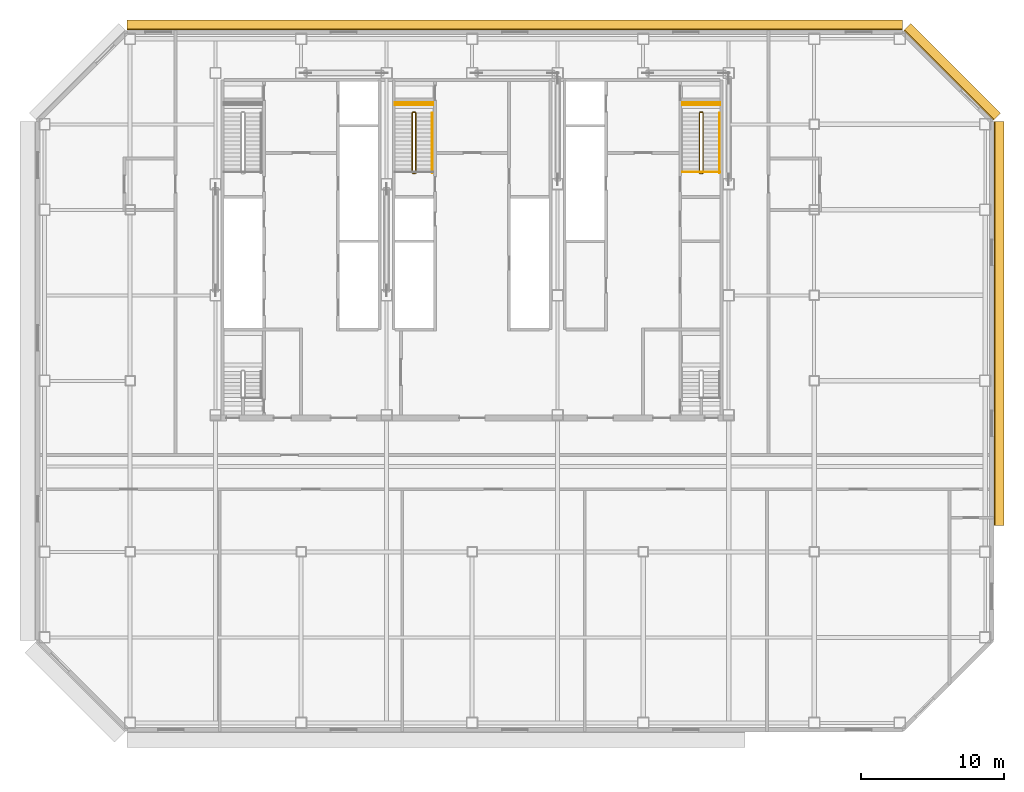
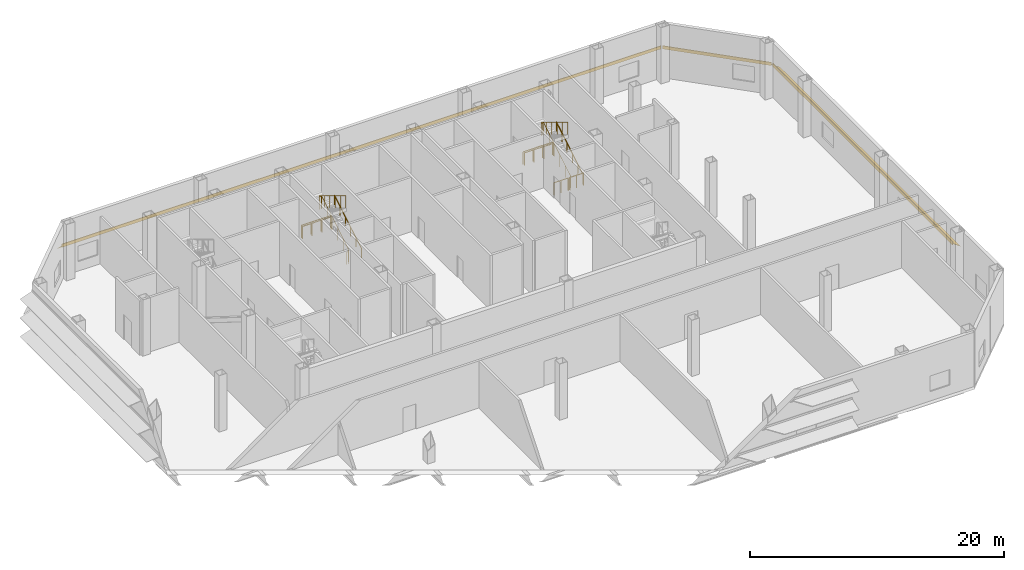
# One storey, part 10 of 10: 10 railings, 3 shading devices.
"""IFC4 building model written with IfcOpenShell, lengths in metres."""

from ifc_helpers import new_model, si_unit, direction, frame, origin, origin_2d, place, context, subcontext, project, spatial, polyline, circle, outline, extrude, material, type_object, element, save


model = new_model("IFC4")

# Units and contexts
model_context = context("Model", 3, precision=1e-05, world=origin(), true_north=direction((0.0, 1.0)))
body_context = subcontext(model_context, "Body", "Model", "MODEL_VIEW")
ifc_project = project(units=[si_unit("LENGTHUNIT", "METRE"), si_unit("AREAUNIT", "SQUARE_METRE"), si_unit("VOLUMEUNIT", "CUBIC_METRE"), si_unit("PLANEANGLEUNIT", "RADIAN"), si_unit("MASSUNIT", "GRAM", prefix="KILO")], contexts=[model_context])

# Site, building, storey
site_placement = place(None, origin())
site = spatial("IfcSite", under=ifc_project, at=site_placement, CompositionType="ELEMENT")
building_placement = place(site_placement, origin())
building = spatial("IfcBuilding", under=site, at=building_placement, Name="Sorahane Residences", CompositionType="ELEMENT")
storey_placement = place(building_placement, frame((0.0, 0.0, 138.39990234375)))
storey = spatial("IfcBuildingStorey", under=building, at=storey_placement, Name="L31", CompositionType="ELEMENT", Elevation=138.39990234375)

# Shading devices
ifc_material_1 = material(Name="Terracotta anodised aluminium", Category="masonry")
shading_device_type_1 = type_object("IfcShadingDeviceType", Name="Louvre sunshade blade E terracotta aluminium 700", PredefinedType="JALOUSIE", material=ifc_material_1)
shading_device_1_placement = place(storey_placement, frame((60.60009765625, 13.869384765625, 2.7001953125), z_axis=(0.0, 1.0, 0.0), x_axis=(-1.0, 0.0, 0.0)))
element("IfcShadingDevice", 1, at=shading_device_1_placement, inside=storey, type_object=shading_device_type_1, Name="Louvre sunshade blade bank E L31 E1", PredefinedType="JALOUSIE", context=body_context, shape_type="SweptSolid", body=[
    extrude(outline(polyline([(-0.719970703125, -0.49365234375), (-0.719970703125, -0.523681640625), (-0.080078125, -0.05859375), (-0.080078125, -0.14990234375), (-0.02001953125, -0.14990234375), (-0.02001953125, -0.014892578125), (-0.02001953125, 0.014892578125), (-0.02001953125, 0.14990234375), (-0.080078125, 0.14990234375), (-0.080078125, -0.028564453125), (-0.719970703125, -0.49365234375)])), origin(), (0.0, 0.0, 1.0), 28.3291015625),
])
ifc_material_2 = material(Name="Terracotta anodised aluminium", Category="masonry")
shading_device_type_2 = type_object("IfcShadingDeviceType", Name="Louvre sunshade blade N terracotta aluminium 700", PredefinedType="JALOUSIE", material=ifc_material_2)
shading_device_2_placement = place(storey_placement, frame((54.198486328125, 48.60009765625, 2.7001953125), z_axis=(-1.0, 0.0, 0.0), x_axis=(0.0, -1.0, 0.0)))
element("IfcShadingDevice", 2, at=shading_device_2_placement, inside=storey, type_object=shading_device_type_2, Name="Louvre sunshade blade bank N L31 N1", PredefinedType="JALOUSIE", context=body_context, shape_type="SweptSolid", body=[
    extrude(outline(polyline([(-0.719970703125, -0.660888671875), (-0.719970703125, -0.69091796875), (-0.080078125, -0.072998046875), (-0.080078125, -0.14990234375), (-0.02001953125, -0.14990234375), (-0.02001953125, -0.014892578125), (-0.02001953125, 0.014892578125), (-0.02001953125, 0.14990234375), (-0.080078125, 0.14990234375), (-0.080078125, -0.04296875), (-0.719970703125, -0.660888671875)])), origin(), (0.0, 0.0, 1.0), 54.39697265625),
])
ifc_material_3 = material(Name="Terracotta anodised aluminium", Category="masonry")
shading_device_type_3 = type_object("IfcShadingDeviceType", Name="Louvre sunshade blade NE terracotta aluminium 700", PredefinedType="JALOUSIE", material=ifc_material_3)
shading_device_3_placement = place(storey_placement, frame((60.564697265625, 42.283935546875, 2.7001953125), z_axis=(-0.707106781187, 0.707106781187, 0.0), x_axis=(-0.707106781187, -0.707106781187, 0.0)))
element("IfcShadingDevice", 3, at=shading_device_3_placement, inside=storey, type_object=shading_device_type_3, Name="Louvre sunshade blade bank NE L31 NE1", PredefinedType="JALOUSIE", context=body_context, shape_type="SweptSolid", body=[
    extrude(outline(polyline([(-0.719970703125, -0.572509765625), (-0.719970703125, -0.602294921875), (-0.080078125, -0.065185546875), (-0.080078125, -0.14990234375), (-0.02001953125, -0.14990234375), (-0.02001953125, -0.014892578125), (-0.02001953125, 0.014892578125), (-0.02001953125, 0.14990234375), (-0.080078125, 0.14990234375), (-0.080078125, -0.035400390625), (-0.719970703125, -0.572509765625)])), origin(), (0.0, 0.0, 1.0), 8.88232421875),
])

# Railings
ifc_material_4 = material(Name="Steel Q355B", Category="steel")
railing_type_1 = type_object("IfcRailingType", Name="Stair guard 1200 Steel Q355B", PredefinedType="GUARDRAIL", material=ifc_material_4)
railing_1_placement = place(storey_placement, frame((38.75, 43.52490234375, 0.0)))
element("IfcRailing", 4, at=railing_1_placement, inside=storey, type_object=railing_type_1, Name="L31 S2 top well guard 1", PredefinedType="GUARDRAIL", context=body_context, shape_type="SweptSolid", body=[
    extrude(circle(Radius=0.02392578125, at=origin_2d()), frame((0.0, 0.0, 1.17578125), z_axis=(1.0, 0.0, 0.0), x_axis=(0.0, 1.0, 0.0)), (0.0, 0.0, 1.0), 2.64990234375),
    extrude(circle(Radius=0.02099609375, at=origin_2d()), origin(), (0.0, 0.0, 1.0), 1.15185546875),
    extrude(circle(Radius=0.02099609375, at=origin_2d()), frame((0.88330078125, 0.0, 0.0)), (0.0, 0.0, 1.0), 1.15185546875),
    extrude(circle(Radius=0.02099609375, at=origin_2d()), frame((1.7666015625, 0.0, 0.0)), (0.0, 0.0, 1.0), 1.15185546875),
    extrude(circle(Radius=0.02099609375, at=origin_2d()), frame((2.64990234375, 0.0, 0.0)), (0.0, 0.0, 1.0), 1.15185546875),
])
for number, where, name in (
    (5, (38.75, 38.64990234375, 0.0), "L31 Stair S2 edge guard"),
    (6, (40.133056640625, 38.64990234375, 0.0), "L31 Stair S2 edge guard"),
):
    element("IfcRailing", number, at=place(storey_placement, frame(where)), inside=storey, type_object=railing_type_1, Name=name, PredefinedType="GUARDRAIL", context=body_context, shape_type="SweptSolid", body=[
        extrude(circle(Radius=0.02392578125, at=origin_2d()), frame((0.0, 0.0, 1.17578125), z_axis=(1.0, 0.0, 0.0), x_axis=(0.0, 1.0, 0.0)), (0.0, 0.0, 1.0), 1.266845703125),
        extrude(circle(Radius=0.02099609375, at=origin_2d()), origin(), (0.0, 0.0, 1.0), 1.15185546875),
        extrude(circle(Radius=0.02099609375, at=origin_2d()), frame((0.63330078125, 0.0, 0.0)), (0.0, 0.0, 1.0), 1.15185546875),
        extrude(circle(Radius=0.02099609375, at=origin_2d()), frame((1.266845703125, 0.0, 0.0)), (0.0, 0.0, 1.0), 1.15185546875),
    ])
railing_2_placement = place(storey_placement, frame((38.75, 43.35009765625, 0.0)))
element("IfcRailing", 7, at=railing_2_placement, inside=storey, type_object=railing_type_1, Name="L31 Stair S2 edge guard", PredefinedType="GUARDRAIL", context=body_context, shape_type="SweptSolid", body=[
    extrude(circle(Radius=0.02392578125, at=origin_2d()), frame((0.0, 0.0, 1.17578125), z_axis=(1.0, 0.0, 0.0), x_axis=(0.0, 1.0, 0.0)), (0.0, 0.0, 1.0), 2.64990234375),
    extrude(circle(Radius=0.02099609375, at=origin_2d()), origin(), (0.0, 0.0, 1.0), 1.15185546875),
    extrude(circle(Radius=0.02099609375, at=origin_2d()), frame((0.88330078125, 0.0, 0.0)), (0.0, 0.0, 1.0), 1.15185546875),
    extrude(circle(Radius=0.02099609375, at=origin_2d()), frame((1.7666015625, 0.0, 0.0)), (0.0, 0.0, 1.0), 1.15185546875),
    extrude(circle(Radius=0.02099609375, at=origin_2d()), frame((2.64990234375, 0.0, 0.0)), (0.0, 0.0, 1.0), 1.15185546875),
])
railing_3_placement = place(storey_placement, frame((40.0, 38.550048828125, 0.0)))
element("IfcRailing", 8, at=railing_3_placement, inside=storey, type_object=railing_type_1, Name="L31 S2 stair guard 1", PredefinedType="GUARDRAIL", context=body_context, shape_type="SweptSolid", body=[
    extrude(circle(Radius=0.02392578125, at=origin_2d()), frame((0.0, 0.0, 1.17578125), z_axis=(1.0, 0.0, 0.0), x_axis=(0.0, 1.0, 0.0)), (0.0, 0.0, 1.0), 0.14990234375),
    extrude(circle(Radius=0.02392578125, at=origin_2d()), frame((0.14990234375, 0.0, 1.17578125), z_axis=(0.273232802156, 0.273232802156, 0.922327312645), x_axis=(-0.707106781187, 0.707106781187, 0.0)), (0.0, 0.0, 1.0), 0.18310546875),
    extrude(circle(Radius=0.02392578125, at=origin_2d()), frame((0.199951171875, 0.050048828125, 1.3447265625), z_axis=(0.0, 0.856476492594, 0.516186030065), x_axis=(-1.0, 0.0, 0.0)), (0.0, 0.0, 1.0), 4.90380859375),
    extrude(circle(Radius=0.02392578125, at=origin_2d()), frame((0.199951171875, 4.25, 3.8759765625), z_axis=(-0.707106781187, 0.707106781187, 0.0), x_axis=(-0.707106781187, -0.707106781187, 0.0)), (0.0, 0.0, 1.0), 0.07080078125),
    extrude(circle(Radius=0.02392578125, at=origin_2d()), frame((0.14990234375, 4.300048828125, 3.8759765625), z_axis=(-1.0, 0.0, 0.0), x_axis=(0.0, -1.0, 0.0)), (0.0, 0.0, 1.0), 0.14990234375),
    extrude(circle(Radius=0.02392578125, at=origin_2d()), frame((0.0, 4.300048828125, 3.8759765625), z_axis=(-0.273569069059, -0.273569069059, 0.922127935218), x_axis=(0.707106781187, -0.707106781187, 0.0)), (0.0, 0.0, 1.0), 0.182861328125),
    extrude(circle(Radius=0.02392578125, at=origin_2d()), frame((-0.050048828125, 4.25, 4.044921875), z_axis=(0.0, -0.856476492594, 0.516186030065), x_axis=(1.0, 0.0, 0.0)), (0.0, 0.0, 1.0), 4.90380859375),
    extrude(circle(Radius=0.02099609375, at=origin_2d()), origin(), (0.0, 0.0, 1.0), 1.15185546875),
    extrude(circle(Radius=0.02099609375, at=origin_2d()), frame((0.14990234375, 0.0, 0.0)), (0.0, 0.0, 1.0), 1.15185546875),
    extrude(circle(Radius=0.02099609375, at=origin_2d()), frame((0.199951171875, 0.050048828125, 0.1689453125)), (0.0, 0.0, 1.0), 1.15185546875),
    extrude(circle(Radius=0.02099609375, at=origin_2d()), frame((0.199951171875, 0.89013671875, 0.67529296875)), (0.0, 0.0, 1.0), 1.15185546875),
    extrude(circle(Radius=0.02099609375, at=origin_2d()), frame((0.199951171875, 1.72998046875, 1.181396484375)), (0.0, 0.0, 1.0), 1.15185546875),
    extrude(circle(Radius=0.02099609375, at=origin_2d()), frame((0.199951171875, 2.570068359375, 1.687744140625)), (0.0, 0.0, 1.0), 1.15185546875),
    extrude(circle(Radius=0.02099609375, at=origin_2d()), frame((0.199951171875, 3.409912109375, 2.19384765625)), (0.0, 0.0, 1.0), 1.15185546875),
    extrude(circle(Radius=0.02099609375, at=origin_2d()), frame((0.199951171875, 4.25, 2.7001953125)), (0.0, 0.0, 1.0), 1.15185546875),
    extrude(circle(Radius=0.02099609375, at=origin_2d()), frame((0.14990234375, 4.300048828125, 2.7001953125)), (0.0, 0.0, 1.0), 1.15185546875),
    extrude(circle(Radius=0.02099609375, at=origin_2d()), frame((0.0, 4.300048828125, 2.7001953125)), (0.0, 0.0, 1.0), 1.15185546875),
    extrude(circle(Radius=0.02099609375, at=origin_2d()), frame((-0.050048828125, 4.25, 2.868896484375)), (0.0, 0.0, 1.0), 1.15185546875),
    extrude(circle(Radius=0.02099609375, at=origin_2d()), frame((-0.050048828125, 3.409912109375, 3.375244140625)), (0.0, 0.0, 1.0), 1.15185546875),
    extrude(circle(Radius=0.02099609375, at=origin_2d()), frame((-0.050048828125, 2.570068359375, 3.88134765625)), (0.0, 0.0, 1.0), 1.15185546875),
    extrude(circle(Radius=0.02099609375, at=origin_2d()), frame((-0.050048828125, 1.72998046875, 4.3876953125)), (0.0, 0.0, 1.0), 1.15185546875),
    extrude(circle(Radius=0.02099609375, at=origin_2d()), frame((-0.050048828125, 0.89013671875, 4.893798828125)), (0.0, 0.0, 1.0), 1.15185546875),
    extrude(circle(Radius=0.02099609375, at=origin_2d()), frame((-0.050048828125, 0.050048828125, 5.400146484375)), (0.0, 0.0, 1.0), 1.15185546875),
])
for number, where, name in (
    (9, (18.60009765625, 43.52490234375, 0.0), "L31 S3 top well guard 1"),
    (10, (18.60009765625, 43.35009765625, 0.0), "L31 Stair S3 edge guard"),
):
    element("IfcRailing", number, at=place(storey_placement, frame(where)), inside=storey, type_object=railing_type_1, Name=name, PredefinedType="GUARDRAIL", context=body_context, shape_type="SweptSolid", body=[
        extrude(circle(Radius=0.02392578125, at=origin_2d()), frame((0.0, 0.0, 1.17578125), z_axis=(1.0, 0.0, 0.0), x_axis=(0.0, 1.0, 0.0)), (0.0, 0.0, 1.0), 2.64990234375),
        extrude(circle(Radius=0.02099609375, at=origin_2d()), origin(), (0.0, 0.0, 1.0), 1.15185546875),
        extrude(circle(Radius=0.02099609375, at=origin_2d()), frame((0.88330078125, 0.0, 0.0)), (0.0, 0.0, 1.0), 1.15185546875),
        extrude(circle(Radius=0.02099609375, at=origin_2d()), frame((1.7666015625, 0.0, 0.0)), (0.0, 0.0, 1.0), 1.15185546875),
        extrude(circle(Radius=0.02099609375, at=origin_2d()), frame((2.64990234375, 0.0, 0.0)), (0.0, 0.0, 1.0), 1.15185546875),
    ])
railing_4_placement = place(storey_placement, frame((19.85009765625, 38.550048828125, 0.0)))
element("IfcRailing", 11, at=railing_4_placement, inside=storey, type_object=railing_type_1, Name="L31 S3 stair guard 1", PredefinedType="GUARDRAIL", context=body_context, shape_type="SweptSolid", body=[
    extrude(circle(Radius=0.02392578125, at=origin_2d()), frame((0.0, 0.0, 1.17578125), z_axis=(1.0, 0.0, 0.0), x_axis=(0.0, 1.0, 0.0)), (0.0, 0.0, 1.0), 0.14990234375),
    extrude(circle(Radius=0.02392578125, at=origin_2d()), frame((0.14990234375, 0.0, 1.17578125), z_axis=(0.273232802156, 0.273232802156, 0.922327312645), x_axis=(-0.707106781187, 0.707106781187, 0.0)), (0.0, 0.0, 1.0), 0.18310546875),
    extrude(circle(Radius=0.02392578125, at=origin_2d()), frame((0.199951171875, 0.050048828125, 1.3447265625), z_axis=(0.0, 0.856476492594, 0.516186030065), x_axis=(-1.0, 0.0, 0.0)), (0.0, 0.0, 1.0), 4.90380859375),
    extrude(circle(Radius=0.02392578125, at=origin_2d()), frame((0.199951171875, 4.25, 3.8759765625), z_axis=(-0.707106781187, 0.707106781187, 0.0), x_axis=(-0.707106781187, -0.707106781187, 0.0)), (0.0, 0.0, 1.0), 0.07080078125),
    extrude(circle(Radius=0.02392578125, at=origin_2d()), frame((0.14990234375, 4.300048828125, 3.8759765625), z_axis=(-1.0, 0.0, 0.0), x_axis=(0.0, -1.0, 0.0)), (0.0, 0.0, 1.0), 0.14990234375),
    extrude(circle(Radius=0.02392578125, at=origin_2d()), frame((0.0, 4.300048828125, 3.8759765625), z_axis=(-0.273569069059, -0.273569069059, 0.922127935218), x_axis=(0.707106781187, -0.707106781187, 0.0)), (0.0, 0.0, 1.0), 0.182861328125),
    extrude(circle(Radius=0.02392578125, at=origin_2d()), frame((-0.050048828125, 4.25, 4.044921875), z_axis=(0.0, -0.856476492594, 0.516186030065), x_axis=(1.0, 0.0, 0.0)), (0.0, 0.0, 1.0), 4.90380859375),
    extrude(circle(Radius=0.02099609375, at=origin_2d()), origin(), (0.0, 0.0, 1.0), 1.15185546875),
    extrude(circle(Radius=0.02099609375, at=origin_2d()), frame((0.14990234375, 0.0, 0.0)), (0.0, 0.0, 1.0), 1.15185546875),
    extrude(circle(Radius=0.02099609375, at=origin_2d()), frame((0.199951171875, 0.050048828125, 0.1689453125)), (0.0, 0.0, 1.0), 1.15185546875),
    extrude(circle(Radius=0.02099609375, at=origin_2d()), frame((0.199951171875, 0.89013671875, 0.67529296875)), (0.0, 0.0, 1.0), 1.15185546875),
    extrude(circle(Radius=0.02099609375, at=origin_2d()), frame((0.199951171875, 1.72998046875, 1.181396484375)), (0.0, 0.0, 1.0), 1.15185546875),
    extrude(circle(Radius=0.02099609375, at=origin_2d()), frame((0.199951171875, 2.570068359375, 1.687744140625)), (0.0, 0.0, 1.0), 1.15185546875),
    extrude(circle(Radius=0.02099609375, at=origin_2d()), frame((0.199951171875, 3.409912109375, 2.19384765625)), (0.0, 0.0, 1.0), 1.15185546875),
    extrude(circle(Radius=0.02099609375, at=origin_2d()), frame((0.199951171875, 4.25, 2.7001953125)), (0.0, 0.0, 1.0), 1.15185546875),
    extrude(circle(Radius=0.02099609375, at=origin_2d()), frame((0.14990234375, 4.300048828125, 2.7001953125)), (0.0, 0.0, 1.0), 1.15185546875),
    extrude(circle(Radius=0.02099609375, at=origin_2d()), frame((0.0, 4.300048828125, 2.7001953125)), (0.0, 0.0, 1.0), 1.15185546875),
    extrude(circle(Radius=0.02099609375, at=origin_2d()), frame((-0.050048828125, 4.25, 2.868896484375)), (0.0, 0.0, 1.0), 1.15185546875),
    extrude(circle(Radius=0.02099609375, at=origin_2d()), frame((-0.050048828125, 3.409912109375, 3.375244140625)), (0.0, 0.0, 1.0), 1.15185546875),
    extrude(circle(Radius=0.02099609375, at=origin_2d()), frame((-0.050048828125, 2.570068359375, 3.88134765625)), (0.0, 0.0, 1.0), 1.15185546875),
    extrude(circle(Radius=0.02099609375, at=origin_2d()), frame((-0.050048828125, 1.72998046875, 4.3876953125)), (0.0, 0.0, 1.0), 1.15185546875),
    extrude(circle(Radius=0.02099609375, at=origin_2d()), frame((-0.050048828125, 0.89013671875, 4.893798828125)), (0.0, 0.0, 1.0), 1.15185546875),
    extrude(circle(Radius=0.02099609375, at=origin_2d()), frame((-0.050048828125, 0.050048828125, 5.400146484375)), (0.0, 0.0, 1.0), 1.15185546875),
])
ifc_material_5 = material(Name="Steel Q355B", Category="steel")
railing_type_2 = type_object("IfcRailingType", Name="Stair handrail 900 Steel Q355B", PredefinedType="HANDRAIL", material=ifc_material_5)
for number, where, name in (
    (12, (41.35009765625, 38.60009765625, 0.1689453125), "L31 S2 stair handrail 1"),
    (13, (21.199951171875, 38.60009765625, 0.1689453125), "L31 S3 stair handrail 1"),
):
    element("IfcRailing", number, at=place(storey_placement, frame(where)), inside=storey, type_object=railing_type_2, Name=name, PredefinedType="HANDRAIL", context=body_context, shape_type="SweptSolid", body=[
        extrude(circle(Radius=0.02392578125, at=origin_2d()), frame((0.0, 0.0, 0.8759765625), z_axis=(0.0, 0.856476492594, 0.516186030065), x_axis=(-1.0, 0.0, 0.0)), (0.0, 0.0, 1.0), 4.90380859375),
        extrude(circle(Radius=0.02099609375, at=origin_2d()), origin(), (0.0, 0.0, 1.0), 0.851806640625),
        extrude(circle(Radius=0.02099609375, at=origin_2d()), frame((0.0, 0.840087890625, 0.50634765625)), (0.0, 0.0, 1.0), 0.851806640625),
        extrude(circle(Radius=0.02099609375, at=origin_2d()), frame((0.0, 1.679931640625, 1.012451171875)), (0.0, 0.0, 1.0), 0.851806640625),
        extrude(circle(Radius=0.02099609375, at=origin_2d()), frame((0.0, 2.52001953125, 1.518798828125)), (0.0, 0.0, 1.0), 0.851806640625),
        extrude(circle(Radius=0.02099609375, at=origin_2d()), frame((0.0, 3.35986328125, 2.02490234375)), (0.0, 0.0, 1.0), 0.851806640625),
        extrude(circle(Radius=0.02099609375, at=origin_2d()), frame((0.0, 4.199951171875, 2.53125)), (0.0, 0.0, 1.0), 0.851806640625),
    ])

save(model, "model.ifc")
